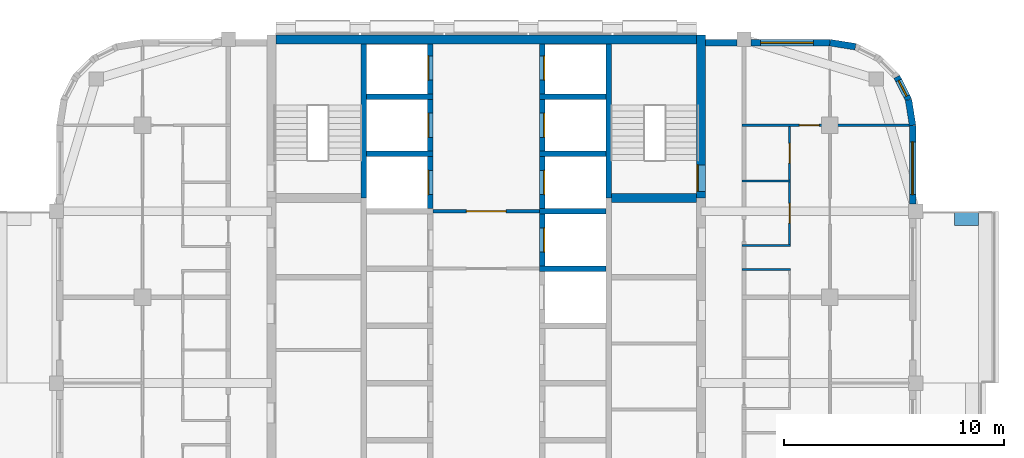
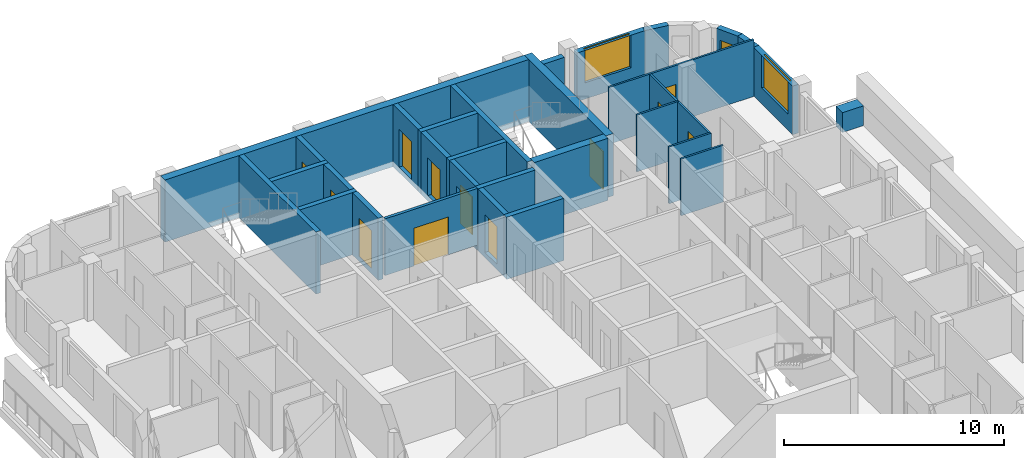
# One storey, part 8 of 13: 31 walls, 12 doors, 3 windows, 15 openings.
"""IFC4 building model written with IfcOpenShell, lengths in metres."""

from ifc_helpers import new_model, si_unit, direction, frame, frame_2d, origin, place, context, subcontext, project, spatial, rectangle, extrude, material, layer, layer_set, type_object, element, fill, save


model = new_model("IFC4")

# Units and contexts
model_context = context("Model", 3, precision=1e-05, world=origin(), true_north=direction((0.0, 1.0)))
body_context = subcontext(model_context, "Body", "Model", "MODEL_VIEW")
ifc_project = project(units=[si_unit("LENGTHUNIT", "METRE"), si_unit("AREAUNIT", "SQUARE_METRE"), si_unit("VOLUMEUNIT", "CUBIC_METRE"), si_unit("PLANEANGLEUNIT", "RADIAN"), si_unit("MASSUNIT", "GRAM", prefix="KILO")], contexts=[model_context])

# Site, building, storey
site_placement = place(None, origin())
site = spatial("IfcSite", under=ifc_project, at=site_placement, CompositionType="ELEMENT")
building_placement = place(site_placement, origin())
building = spatial("IfcBuilding", under=site, at=building_placement, Name="Ludao Terraces", CompositionType="ELEMENT")
storey_placement = place(building_placement, frame((0.0, 0.0, 246.0)))
storey = spatial("IfcBuildingStorey", under=building, at=storey_placement, Name="L67", CompositionType="ELEMENT", Elevation=246.0)

# Wall, opening, door
ifc_material_1 = material(Name="Concrete C50", Category="concrete")
ifc_layer_1 = layer(ifc_material_1, 0.39990234375)
ifc_layer_set_1 = layer_set([ifc_layer_1], Name="Core wall 400 C50")
wall_type_1 = type_object("IfcWallType", Name="Core wall 400 C50", PredefinedType="SOLIDWALL", material=ifc_layer_set_1)
wall_1_placement = place(storey_placement, frame((94.75, 77.300048828125, -0.300048828125), z_axis=(0.0, 0.0, 1.0), x_axis=(0.0, 1.0, 0.0)))
wall_1 = element("IfcWall", 1, at=wall_1_placement, inside=storey, type_object=wall_type_1, Name="Core wall L67 outer-E-S2", PredefinedType="SOLIDWALL", context=body_context, shape_type="SweptSolid", body=[
    extrude(rectangle(XDim=7.39990234375, YDim=0.39990234375, at=frame_2d((3.699951171875, 0.0))), origin(), (0.0, 0.0, 1.0), 3.449951171875),
])
opening_1_placement = place(wall_1_placement, frame((0.300048828125, 0.0, 0.300048828125)))
opening_1 = element("IfcOpeningElement", 2, at=opening_1_placement, cuts=wall_1, Name="Opening R24-078", PredefinedType="OPENING", context=body_context, shape_type="SweptSolid", body=[
    extrude(rectangle(XDim=1.199951171875, YDim=2.10009765625, at=frame_2d((0.60009765625, 1.050048828125))), frame((0.0, 0.2099609375, 0.0), z_axis=(0.0, -1.0, 0.0), x_axis=(1.0, 0.0, 0.0)), (0.0, 0.0, 1.0), 0.419921875),
])
ifc_material_2 = material(Name="Steel Q235", Category="steel")
door_type_1 = type_object("IfcDoorType", Name="INT Stair door 1200", OperationType="DOUBLE_DOOR_SINGLE_SWING", PredefinedType="DOOR", material=ifc_material_2)
door_1_placement = place(opening_1_placement, origin())
door_1 = element("IfcDoor", 3, at=door_1_placement, inside=storey, type_object=door_type_1, Name="DOOR 078", OperationType="DOUBLE_DOOR_SINGLE_SWING", OverallHeight=2.10009765625, OverallWidth=1.199951171875, PredefinedType="DOOR", context=body_context, shape_type="SweptSolid", body=[
    extrude(rectangle(XDim=1.199951171875, YDim=2.10009765625, at=frame_2d((0.60009765625, 1.050048828125))), frame((0.0, 0.18505859375, 0.0), z_axis=(0.0, -1.0, 0.0), x_axis=(1.0, 0.0, 0.0)), (0.0, 0.0, 1.0), 0.050048828125),
])
fill(opening_1, door_1)

# Walls
wall_2_placement = place(storey_placement, frame((75.449951171875, 84.5, -0.300048828125), z_axis=(0.0, 0.0, 1.0), x_axis=(1.0, 0.0, 0.0)))
element("IfcWall", 4, at=wall_2_placement, inside=storey, type_object=wall_type_1, Name="Core wall L67 outer-N", PredefinedType="SOLIDWALL", context=body_context, shape_type="SweptSolid", body=[
    extrude(rectangle(XDim=19.10009765625, YDim=0.39990234375, at=frame_2d((9.550048828125, 0.0))), origin(), (0.0, 0.0, 1.0), 3.449951171875),
])
ifc_material_3 = material(Name="Concrete C40", Category="concrete")
ifc_layer_2 = layer(ifc_material_3, 0.60009765625)
ifc_layer_set_2 = layer_set([ifc_layer_2], Name="ENV Planter trough 600")
wall_type_2 = type_object("IfcWallType", Name="ENV Planter trough 600", PredefinedType="USERDEFINED", material=ifc_layer_set_2)
wall_3_placement = place(storey_placement, frame((107.35009765625, 76.35009765625, 0.0), z_axis=(0.0, 0.0, 1.0), x_axis=(-1.0, 0.0, 0.0)))
element("IfcWall", 5, at=wall_3_placement, inside=storey, type_object=wall_type_2, Name="PL-L67-E3-SB", ObjectType="PLANTER", PredefinedType="USERDEFINED", context=body_context, shape_type="SweptSolid", body=[
    extrude(rectangle(XDim=1.10009765625, YDim=0.60009765625, at=frame_2d((0.550048828125, 0.0))), origin(), (0.0, 0.0, 1.0), 1.10009765625),
])

# Wall, opening, window
ifc_material_4 = material(Name="Granite cladding", Category="masonry")
ifc_layer_3 = layer(ifc_material_4, 0.0400390625, Category="stone")
ifc_material_5 = material(Name="Mineral wool")
ifc_layer_4 = layer(ifc_material_5, 0.06005859375)
ifc_layer_5 = layer(ifc_material_3, 0.199951171875, Category="concrete")
ifc_layer_set_3 = layer_set([ifc_layer_3, ifc_layer_4, ifc_layer_5], Name="ENV Stone-clad wall 300")
wall_type_3 = type_object("IfcWallType", Name="ENV Stone-clad wall 300", PredefinedType="SOLIDWALL", material=ifc_layer_set_3)
wall_4_placement = place(storey_placement, frame((104.35009765625, 77.02490234375, 0.0), z_axis=(0.0, 0.0, 1.0), x_axis=(0.0, 1.0, 0.0)))
wall_4 = element("IfcWall", 6, at=wall_4_placement, inside=storey, type_object=wall_type_3, Name="EW-L67-E5", PredefinedType="SOLIDWALL", context=body_context, shape_type="SweptSolid", body=[
    extrude(rectangle(XDim=3.5751953125, YDim=0.300048828125, at=frame_2d((1.78759765625, 0.0))), origin(), (0.0, 0.0, 1.0), 2.699951171875),
])
opening_2_placement = place(wall_4_placement, frame((0.425048828125, 0.0, 0.89990234375)))
opening_2 = element("IfcOpeningElement", 7, at=opening_2_placement, cuts=wall_4, Name="Opening W1", PredefinedType="OPENING", context=body_context, shape_type="SweptSolid", body=[
    extrude(rectangle(XDim=2.39990234375, YDim=1.800048828125, at=frame_2d((1.199951171875, 0.89990234375))), frame((0.0, 0.16015625, 0.0), z_axis=(0.0, -1.0, 0.0), x_axis=(1.0, 0.0, 0.0)), (0.0, 0.0, 1.0), 0.320068359375),
])
ifc_material_6 = material(Name="Clear glass in aluminium frame", Category="aluminium")
ifc_layer_6 = layer(ifc_material_6, 0.06005859375)
ifc_layer_set_4 = layer_set([ifc_layer_6], Name="ENV Window W1 2400x1800")
window_type_1 = type_object("IfcWindowType", Name="ENV Window W1 2400x1800", PartitioningType="DOUBLE_PANEL_VERTICAL", PredefinedType="WINDOW", material=ifc_layer_set_4)
window_1_placement = place(opening_2_placement, origin())
window_1 = element("IfcWindow", 8, at=window_1_placement, inside=storey, type_object=window_type_1, Name="W-L67-E5-1", OverallHeight=1.800048828125, OverallWidth=2.39990234375, PartitioningType="DOUBLE_PANEL_VERTICAL", PredefinedType="WINDOW", context=body_context, shape_type="SweptSolid", body=[
    extrude(rectangle(XDim=2.39990234375, YDim=1.800048828125, at=frame_2d((1.199951171875, 0.89990234375))), frame((0.0, 0.030029296875, 0.0), z_axis=(0.0, -1.0, 0.0), x_axis=(1.0, 0.0, 0.0)), (0.0, 0.0, 1.0), 0.06005859375),
])
fill(opening_2, window_1)

# Wall
wall_5_placement = place(storey_placement, frame((94.949951171875, 84.35009765625, 0.0), z_axis=(0.0, 0.0, 1.0), x_axis=(1.0, 0.0, 0.0)))
element("IfcWall", 9, at=wall_5_placement, inside=storey, type_object=wall_type_3, Name="EW-L67-N3", PredefinedType="SOLIDWALL", context=body_context, shape_type="SweptSolid", body=[
    extrude(rectangle(XDim=1.425048828125, YDim=0.300048828125, at=frame_2d((0.71240234375, 0.0))), origin(), (0.0, 0.0, 1.0), 2.699951171875),
])

# Wall, opening, window
wall_6_placement = place(storey_placement, frame((97.02490234375, 84.35009765625, 0.0), z_axis=(0.0, 0.0, 1.0), x_axis=(1.0, 0.0, 0.0)))
wall_6 = element("IfcWall", 10, at=wall_6_placement, inside=storey, type_object=wall_type_3, Name="EW-L67-N4", PredefinedType="SOLIDWALL", context=body_context, shape_type="SweptSolid", body=[
    extrude(rectangle(XDim=3.5751953125, YDim=0.300048828125, at=frame_2d((1.78759765625, 0.0))), origin(), (0.0, 0.0, 1.0), 2.699951171875),
])
opening_3_placement = place(wall_6_placement, frame((0.425048828125, 0.0, 0.89990234375)))
opening_3 = element("IfcOpeningElement", 11, at=opening_3_placement, cuts=wall_6, Name="Opening W1", PredefinedType="OPENING", context=body_context, shape_type="SweptSolid", body=[
    extrude(rectangle(XDim=2.39990234375, YDim=1.800048828125, at=frame_2d((1.199951171875, 0.89990234375))), frame((0.0, 0.16015625, 0.0), z_axis=(0.0, -1.0, 0.0), x_axis=(1.0, 0.0, 0.0)), (0.0, 0.0, 1.0), 0.320068359375),
])
window_2_placement = place(opening_3_placement, origin())
window_2 = element("IfcWindow", 12, at=window_2_placement, inside=storey, type_object=window_type_1, Name="W-L67-N4-1", OverallHeight=1.800048828125, OverallWidth=2.39990234375, PartitioningType="DOUBLE_PANEL_VERTICAL", PredefinedType="WINDOW", context=body_context, shape_type="SweptSolid", body=[
    extrude(rectangle(XDim=2.39990234375, YDim=1.800048828125, at=frame_2d((1.199951171875, 0.89990234375))), frame((0.0, 0.030029296875, 0.0), z_axis=(0.0, -1.0, 0.0), x_axis=(1.0, 0.0, 0.0)), (0.0, 0.0, 1.0), 0.06005859375),
])
fill(opening_3, window_2)

# Wall
wall_7_placement = place(storey_placement, frame((104.35009765625, 80.60009765625, 0.0), z_axis=(0.0, 0.0, 1.0), x_axis=(-0.156496880861, 0.987678452879, 0.0)))
element("IfcWall", 13, at=wall_7_placement, inside=storey, type_object=wall_type_3, Name="EW-L67-NE1", PredefinedType="SOLIDWALL", context=body_context, shape_type="SweptSolid", body=[
    extrude(rectangle(XDim=1.173095703125, YDim=0.300048828125, at=frame_2d((0.58642578125, 0.0))), origin(), (0.0, 0.0, 1.0), 2.699951171875),
])

# Wall, opening, window
wall_8_placement = place(storey_placement, frame((104.16650390625, 81.7587890625, 0.0), z_axis=(0.0, 0.0, 1.0), x_axis=(-0.454025524128, 0.890988677504, 0.0)))
wall_8 = element("IfcWall", 14, at=wall_8_placement, inside=storey, type_object=wall_type_3, Name="EW-L67-NE2", PredefinedType="SOLIDWALL", context=body_context, shape_type="SweptSolid", body=[
    extrude(rectangle(XDim=1.17333984375, YDim=0.300048828125, at=frame_2d((0.586669921875, 0.0))), origin(), (0.0, 0.0, 1.0), 2.699951171875),
])
opening_4_placement = place(wall_8_placement, frame((0.1865234375, 0.0, 0.89990234375)))
opening_4 = element("IfcOpeningElement", 15, at=opening_4_placement, cuts=wall_8, Name="Opening W3", PredefinedType="OPENING", context=body_context, shape_type="SweptSolid", body=[
    extrude(rectangle(XDim=0.800048828125, YDim=1.199951171875, at=frame_2d((0.39990234375, 0.60009765625))), frame((0.0, 0.16015625, 0.0), z_axis=(0.0, -1.0, 0.0), x_axis=(1.0, 0.0, 0.0)), (0.0, 0.0, 1.0), 0.320068359375),
])
ifc_layer_7 = layer(ifc_material_6, 0.06005859375)
ifc_layer_set_5 = layer_set([ifc_layer_7], Name="ENV Window W3 800x1200")
window_type_2 = type_object("IfcWindowType", Name="ENV Window W3 800x1200", PartitioningType="SINGLE_PANEL", PredefinedType="WINDOW", material=ifc_layer_set_5)
window_3_placement = place(opening_4_placement, origin())
window_3 = element("IfcWindow", 16, at=window_3_placement, inside=storey, type_object=window_type_2, Name="W-L67-NE2", OverallHeight=1.199951171875, OverallWidth=0.800048828125, PartitioningType="SINGLE_PANEL", PredefinedType="WINDOW", context=body_context, shape_type="SweptSolid", body=[
    extrude(rectangle(XDim=0.800048828125, YDim=1.199951171875, at=frame_2d((0.39990234375, 0.60009765625))), frame((0.0, 0.030029296875, 0.0), z_axis=(0.0, -1.0, 0.0), x_axis=(1.0, 0.0, 0.0)), (0.0, 0.0, 1.0), 0.06005859375),
])
fill(opening_4, window_3)

# Wall
wall_9_placement = place(storey_placement, frame((101.7587890625, 84.16650390625, 0.0), z_axis=(0.0, 0.0, 1.0), x_axis=(-0.987678452879, 0.156496880861, 0.0)))
element("IfcWall", 17, at=wall_9_placement, inside=storey, type_object=wall_type_3, Name="EW-L67-NE5", PredefinedType="SOLIDWALL", context=body_context, shape_type="SweptSolid", body=[
    extrude(rectangle(XDim=1.173095703125, YDim=0.300048828125, at=frame_2d((0.58642578125, 0.0))), origin(), (0.0, 0.0, 1.0), 2.699951171875),
])

# Wall, opening, door
ifc_material_7 = material(Name="Fire-rated gypsum plasterboard", Category="gypsum")
ifc_layer_8 = layer(ifc_material_7, 0.012451171875, Category="gypsum")
ifc_layer_9 = layer(ifc_material_5, 0.10009765625, Name="insulation")
ifc_layer_10 = layer(ifc_material_2, 0.02490234375, Name="stud")
ifc_layer_11 = layer(ifc_material_7, 0.012451171875, Category="gypsum")
ifc_layer_set_6 = layer_set([ifc_layer_8, ifc_layer_9, ifc_layer_10, ifc_layer_11], Name="INT Core partition 150")
wall_type_4 = type_object("IfcWallType", Name="INT Core partition 150", PredefinedType="PARTITIONING", material=ifc_layer_set_6)
wall_10_placement = place(storey_placement, frame((82.5751953125, 76.699951171875, 0.0), z_axis=(0.0, 0.0, 1.0), x_axis=(1.0, 0.0, 0.0)))
wall_10 = element("IfcWall", 18, at=wall_10_placement, inside=storey, type_object=wall_type_4, Name="PW-L67-PW041", PredefinedType="PARTITIONING", context=body_context, shape_type="SweptSolid", body=[
    extrude(rectangle(XDim=4.849853515625, YDim=0.14990234375, at=frame_2d((2.4248046875, 0.0))), origin(), (0.0, 0.0, 1.0), 3.14990234375),
])
opening_5_placement = place(wall_10_placement, frame((1.52490234375, 0.0, 0.0)))
opening_5 = element("IfcOpeningElement", 19, at=opening_5_placement, cuts=wall_10, Name="Opening R24-073", PredefinedType="OPENING", context=body_context, shape_type="SweptSolid", body=[
    extrude(rectangle(XDim=1.800048828125, YDim=2.10009765625, at=frame_2d((0.89990234375, 1.050048828125))), frame((0.0, 0.0849609375, 0.0), z_axis=(0.0, -1.0, 0.0), x_axis=(1.0, 0.0, 0.0)), (0.0, 0.0, 1.0), 0.169921875),
])
door_type_2 = type_object("IfcDoorType", Name="INT Fire lobby door 1800", OperationType="DOUBLE_DOOR_SINGLE_SWING", PredefinedType="DOOR", material=ifc_material_2)
door_2_placement = place(opening_5_placement, origin())
door_2 = element("IfcDoor", 20, at=door_2_placement, inside=storey, type_object=door_type_2, Name="DOOR 073", OperationType="DOUBLE_DOOR_SINGLE_SWING", OverallHeight=2.10009765625, OverallWidth=1.800048828125, PredefinedType="DOOR", context=body_context, shape_type="SweptSolid", body=[
    extrude(rectangle(XDim=1.800048828125, YDim=2.10009765625, at=frame_2d((0.89990234375, 1.050048828125))), frame((0.0, 0.02490234375, 0.0), z_axis=(0.0, -1.0, 0.0), x_axis=(1.0, 0.0, 0.0)), (0.0, 0.0, 1.0), 0.050048828125),
])
fill(opening_5, door_2)

# Walls
ifc_material_8 = material(Name="Gypsum plasterboard", Category="gypsum")
ifc_layer_12 = layer(ifc_material_8, 0.012451171875, Category="gypsum")
ifc_layer_13 = layer(ifc_material_5, 0.06005859375, Name="insulation")
ifc_layer_14 = layer(ifc_material_2, 0.014892578125, Name="stud")
ifc_layer_15 = layer(ifc_material_8, 0.012451171875, Category="gypsum")
ifc_layer_set_7 = layer_set([ifc_layer_12, ifc_layer_13, ifc_layer_14, ifc_layer_15], Name="INT Partition 100")
wall_type_5 = type_object("IfcWallType", Name="INT Partition 100", PredefinedType="PARTITIONING", material=ifc_layer_set_7)
for number, where, z_axis, x_axis, name in (
    (21, (96.60009765625, 74.050048828125, 0.0), (0.0, 0.0, 1.0), (1.0, 0.0, 0.0), "PW-L67-PW037"),
    (22, (96.60009765625, 75.14990234375, 0.0), (0.0, 0.0, 1.0), (1.0, 0.0, 0.0), "PW-L67-PW040"),
    (23, (96.60009765625, 78.070068359375, 0.0), (0.0, 0.0, 1.0), (1.0, 0.0, 0.0), "PW-L67-PW043"),
):
    element("IfcWall", number, at=place(storey_placement, frame(where, z_axis=z_axis, x_axis=x_axis)), inside=storey, type_object=wall_type_5, Name=name, PredefinedType="PARTITIONING", context=body_context, shape_type="SweptSolid", body=[
        extrude(rectangle(XDim=2.219970703125, YDim=0.10009765625, at=frame_2d((1.10986328125, 0.0))), origin(), (0.0, 0.0, 1.0), 3.14990234375),
    ])

# Wall, opening, door
wall_11_placement = place(storey_placement, frame((96.60009765625, 80.60009765625, 0.0), z_axis=(0.0, 0.0, 1.0), x_axis=(1.0, 0.0, 0.0)))
wall_11 = element("IfcWall", 24, at=wall_11_placement, inside=storey, type_object=wall_type_5, Name="PW-L67-PW045", PredefinedType="PARTITIONING", context=body_context, shape_type="SweptSolid", body=[
    extrude(rectangle(XDim=7.60009765625, YDim=0.10009765625, at=frame_2d((3.800048828125, 0.0))), origin(), (0.0, 0.0, 1.0), 3.14990234375),
])
opening_6_placement = place(wall_11_placement, frame((2.610107421875, 0.0, 0.0)))
opening_6 = element("IfcOpeningElement", 25, at=opening_6_placement, cuts=wall_11, Name="Opening R24-084", PredefinedType="OPENING", context=body_context, shape_type="SweptSolid", body=[
    extrude(rectangle(XDim=0.89990234375, YDim=2.10009765625, at=frame_2d((0.449951171875, 1.050048828125))), frame((0.0, 0.06005859375, 0.0), z_axis=(0.0, -1.0, 0.0), x_axis=(1.0, 0.0, 0.0)), (0.0, 0.0, 1.0), 0.1201171875),
])
ifc_material_9 = material(Name="Timber door leaf", Category="wood")
door_type_3 = type_object("IfcDoorType", Name="INT Room door 900", OperationType="SINGLE_SWING_LEFT", PredefinedType="DOOR", material=ifc_material_9)
door_3_placement = place(opening_6_placement, origin())
door_3 = element("IfcDoor", 26, at=door_3_placement, inside=storey, type_object=door_type_3, Name="DOOR 084", OperationType="SINGLE_SWING_RIGHT", OverallHeight=2.10009765625, OverallWidth=0.89990234375, PredefinedType="DOOR", context=body_context, shape_type="SweptSolid", body=[
    extrude(rectangle(XDim=0.89990234375, YDim=2.10009765625, at=frame_2d((0.449951171875, 1.050048828125))), frame((0.0, 0.02490234375, 0.0), z_axis=(0.0, -1.0, 0.0), x_axis=(1.0, 0.0, 0.0)), (0.0, 0.0, 1.0), 0.050048828125),
])
fill(opening_6, door_3)

# Wall, openings, doors
wall_12_placement = place(storey_placement, frame((98.77001953125, 75.2001953125, 0.0), z_axis=(0.0, 0.0, 1.0), x_axis=(0.0, 1.0, 0.0)))
wall_12 = element("IfcWall", 27, at=wall_12_placement, inside=storey, type_object=wall_type_5, Name="PW-L67-PW060", PredefinedType="PARTITIONING", context=body_context, shape_type="SweptSolid", body=[
    extrude(rectangle(XDim=5.349853515625, YDim=0.10009765625, at=frame_2d((2.6748046875, 0.0))), origin(), (0.0, 0.0, 1.0), 3.14990234375),
])
opening_7_placement = place(wall_12_placement, frame((0.9599609375, 0.0, 0.0)))
opening_7 = element("IfcOpeningElement", 28, at=opening_7_placement, cuts=wall_12, Name="Opening R24-071", PredefinedType="OPENING", context=body_context, shape_type="SweptSolid", body=[
    extrude(rectangle(XDim=0.89990234375, YDim=2.10009765625, at=frame_2d((0.449951171875, 1.050048828125))), frame((0.0, 0.06005859375, 0.0), z_axis=(0.0, -1.0, 0.0), x_axis=(1.0, 0.0, 0.0)), (0.0, 0.0, 1.0), 0.1201171875),
])
opening_8_placement = place(wall_12_placement, frame((3.684814453125, 0.0, 0.0)))
opening_8 = element("IfcOpeningElement", 29, at=opening_8_placement, cuts=wall_12, Name="Opening R24-080", PredefinedType="OPENING", context=body_context, shape_type="SweptSolid", body=[
    extrude(rectangle(XDim=0.89990234375, YDim=2.10009765625, at=frame_2d((0.449951171875, 1.050048828125))), frame((0.0, 0.06005859375, 0.0), z_axis=(0.0, -1.0, 0.0), x_axis=(1.0, 0.0, 0.0)), (0.0, 0.0, 1.0), 0.1201171875),
])
door_type_4 = type_object("IfcDoorType", Name="INT Bathroom door 900", OperationType="SINGLE_SWING_LEFT", PredefinedType="DOOR", material=ifc_material_9)
door_4_placement = place(opening_8_placement, origin())
door_4 = element("IfcDoor", 30, at=door_4_placement, inside=storey, type_object=door_type_4, Name="DOOR 080", OperationType="SINGLE_SWING_RIGHT", OverallHeight=2.10009765625, OverallWidth=0.89990234375, PredefinedType="DOOR", context=body_context, shape_type="SweptSolid", body=[
    extrude(rectangle(XDim=0.89990234375, YDim=2.10009765625, at=frame_2d((0.449951171875, 1.050048828125))), frame((0.0, 0.02490234375, 0.0), z_axis=(0.0, -1.0, 0.0), x_axis=(1.0, 0.0, 0.0)), (0.0, 0.0, 1.0), 0.050048828125),
])
fill(opening_8, door_4)
door_5_placement = place(opening_7_placement, origin())
door_5 = element("IfcDoor", 31, at=door_5_placement, inside=storey, type_object=door_type_3, Name="DOOR 071", OperationType="SINGLE_SWING_LEFT", OverallHeight=2.10009765625, OverallWidth=0.89990234375, PredefinedType="DOOR", context=body_context, shape_type="SweptSolid", body=[
    extrude(rectangle(XDim=0.89990234375, YDim=2.10009765625, at=frame_2d((0.449951171875, 1.050048828125))), frame((0.0, 0.02490234375, 0.0), z_axis=(0.0, -1.0, 0.0), x_axis=(1.0, 0.0, 0.0)), (0.0, 0.0, 1.0), 0.050048828125),
])
fill(opening_7, door_5)

# Walls
ifc_layer_16 = layer(ifc_material_1, 0.25)
ifc_layer_set_8 = layer_set([ifc_layer_16], Name="Shaft wall 250 C50")
wall_type_6 = type_object("IfcWallType", Name="Shaft wall 250 C50", PredefinedType="SOLIDWALL", material=ifc_layer_set_8)
for number, where, z_axis, x_axis, name in (
    (32, (79.449951171875, 77.300048828125, -0.300048828125), (0.0, 0.0, 1.0), (0.0, 1.0, 0.0), "Core wall L67 back-W-S1"),
    (33, (90.550048828125, 77.300048828125, -0.300048828125), (0.0, 0.0, 1.0), (0.0, 1.0, 0.0), "Core wall L67 back-E-S2"),
):
    element("IfcWall", number, at=place(storey_placement, frame(where, z_axis=z_axis, x_axis=x_axis)), inside=storey, type_object=wall_type_6, Name=name, PredefinedType="SOLIDWALL", context=body_context, shape_type="SweptSolid", body=[
        extrude(rectangle(XDim=7.0, YDim=0.25, at=frame_2d((3.5, 0.0))), origin(), (0.0, 0.0, 1.0), 3.449951171875),
    ])

# Wall, opening, door
wall_13_placement = place(storey_placement, frame((82.449951171875, 76.824951171875, -0.300048828125), z_axis=(0.0, 0.0, 1.0), x_axis=(0.0, 1.0, 0.0)))
wall_13 = element("IfcWall", 34, at=wall_13_placement, inside=storey, type_object=wall_type_6, Name="Core wall L67 front-W7", PredefinedType="SOLIDWALL", context=body_context, shape_type="SweptSolid", body=[
    extrude(rectangle(XDim=2.35009765625, YDim=0.25, at=frame_2d((1.175048828125, 0.0))), origin(), (0.0, 0.0, 1.0), 3.449951171875),
])
opening_9_placement = place(wall_13_placement, frame((0.625, 0.0, 0.300048828125)))
opening_9 = element("IfcOpeningElement", 35, at=opening_9_placement, cuts=wall_13, Name="Opening LD-FF1", PredefinedType="OPENING", context=body_context, shape_type="SweptSolid", body=[
    extrude(rectangle(XDim=1.10009765625, YDim=2.10009765625, at=frame_2d((0.550048828125, 1.050048828125))), frame((0.0, 0.135009765625, 0.0), z_axis=(0.0, -1.0, 0.0), x_axis=(1.0, 0.0, 0.0)), (0.0, 0.0, 1.0), 0.27001953125),
])
ifc_material_10 = material(Name="Stainless steel 304", Category="steel")
door_type_5 = type_object("IfcDoorType", Name="INT Lift landing door 1100", OperationType="SLIDING_TO_LEFT", PredefinedType="DOOR", material=ifc_material_10)
door_6_placement = place(opening_9_placement, origin())
door_6 = element("IfcDoor", 36, at=door_6_placement, inside=storey, type_object=door_type_5, Name="LANDING DOOR FF1 L67", OperationType="SLIDING_TO_LEFT", OverallHeight=2.10009765625, OverallWidth=1.10009765625, PredefinedType="DOOR", context=body_context, shape_type="SweptSolid", body=[
    extrude(rectangle(XDim=1.10009765625, YDim=2.10009765625, at=frame_2d((0.550048828125, 1.050048828125))), frame((0.0, 0.10986328125, 0.0), z_axis=(0.0, -1.0, 0.0), x_axis=(1.0, 0.0, 0.0)), (0.0, 0.0, 1.0), 0.050048828125),
])
fill(opening_9, door_6)

# Wall
wall_14_placement = place(storey_placement, frame((79.574951171875, 79.300048828125, -0.300048828125), z_axis=(0.0, 0.0, 1.0), x_axis=(1.0, 0.0, 0.0)))
element("IfcWall", 37, at=wall_14_placement, inside=storey, type_object=wall_type_6, Name="Core wall L67 div-W8", PredefinedType="SOLIDWALL", context=body_context, shape_type="SweptSolid", body=[
    extrude(rectangle(XDim=3.0, YDim=0.25, at=frame_2d((1.5, 0.0))), origin(), (0.0, 0.0, 1.0), 3.449951171875),
])

# Wall, opening, door
wall_15_placement = place(storey_placement, frame((82.449951171875, 79.425048828125, -0.300048828125), z_axis=(0.0, 0.0, 1.0), x_axis=(0.0, 1.0, 0.0)))
wall_15 = element("IfcWall", 38, at=wall_15_placement, inside=storey, type_object=wall_type_6, Name="Core wall L67 front-W8", PredefinedType="SOLIDWALL", context=body_context, shape_type="SweptSolid", body=[
    extrude(rectangle(XDim=2.349853515625, YDim=0.25, at=frame_2d((1.1748046875, 0.0))), origin(), (0.0, 0.0, 1.0), 3.449951171875),
])
opening_10_placement = place(wall_15_placement, frame((0.625, 0.0, 0.300048828125)))
opening_10 = element("IfcOpeningElement", 39, at=opening_10_placement, cuts=wall_15, Name="Opening LD-FF2", PredefinedType="OPENING", context=body_context, shape_type="SweptSolid", body=[
    extrude(rectangle(XDim=1.10009765625, YDim=2.10009765625, at=frame_2d((0.550048828125, 1.050048828125))), frame((0.0, 0.135009765625, 0.0), z_axis=(0.0, -1.0, 0.0), x_axis=(1.0, 0.0, 0.0)), (0.0, 0.0, 1.0), 0.27001953125),
])
door_7_placement = place(opening_10_placement, origin())
door_7 = element("IfcDoor", 40, at=door_7_placement, inside=storey, type_object=door_type_5, Name="LANDING DOOR FF2 L67", OperationType="SLIDING_TO_LEFT", OverallHeight=2.10009765625, OverallWidth=1.10009765625, PredefinedType="DOOR", context=body_context, shape_type="SweptSolid", body=[
    extrude(rectangle(XDim=1.10009765625, YDim=2.10009765625, at=frame_2d((0.550048828125, 1.050048828125))), frame((0.0, 0.10986328125, 0.0), z_axis=(0.0, -1.0, 0.0), x_axis=(1.0, 0.0, 0.0)), (0.0, 0.0, 1.0), 0.050048828125),
])
fill(opening_10, door_7)

# Wall
wall_16_placement = place(storey_placement, frame((79.574951171875, 81.89990234375, -0.300048828125), z_axis=(0.0, 0.0, 1.0), x_axis=(1.0, 0.0, 0.0)))
element("IfcWall", 41, at=wall_16_placement, inside=storey, type_object=wall_type_6, Name="Core wall L67 div-W9", PredefinedType="SOLIDWALL", context=body_context, shape_type="SweptSolid", body=[
    extrude(rectangle(XDim=3.0, YDim=0.25, at=frame_2d((1.5, 0.0))), origin(), (0.0, 0.0, 1.0), 3.449951171875),
])

# Wall, opening, door
wall_17_placement = place(storey_placement, frame((82.449951171875, 82.02490234375, -0.300048828125), z_axis=(0.0, 0.0, 1.0), x_axis=(0.0, 1.0, 0.0)))
wall_17 = element("IfcWall", 42, at=wall_17_placement, inside=storey, type_object=wall_type_6, Name="Core wall L67 front-W9", PredefinedType="SOLIDWALL", context=body_context, shape_type="SweptSolid", body=[
    extrude(rectangle(XDim=2.275146484375, YDim=0.25, at=frame_2d((1.1376953125, 0.0))), origin(), (0.0, 0.0, 1.0), 3.449951171875),
])
opening_11_placement = place(wall_17_placement, frame((0.625, 0.0, 0.300048828125)))
opening_11 = element("IfcOpeningElement", 43, at=opening_11_placement, cuts=wall_17, Name="Opening LD-LB6", PredefinedType="OPENING", context=body_context, shape_type="SweptSolid", body=[
    extrude(rectangle(XDim=1.10009765625, YDim=2.10009765625, at=frame_2d((0.550048828125, 1.050048828125))), frame((0.0, 0.135009765625, 0.0), z_axis=(0.0, -1.0, 0.0), x_axis=(1.0, 0.0, 0.0)), (0.0, 0.0, 1.0), 0.27001953125),
])
door_8_placement = place(opening_11_placement, origin())
door_8 = element("IfcDoor", 44, at=door_8_placement, inside=storey, type_object=door_type_5, Name="LANDING DOOR LB6 L67", OperationType="SLIDING_TO_RIGHT", OverallHeight=2.10009765625, OverallWidth=1.10009765625, PredefinedType="DOOR", context=body_context, shape_type="SweptSolid", body=[
    extrude(rectangle(XDim=1.10009765625, YDim=2.10009765625, at=frame_2d((0.550048828125, 1.050048828125))), frame((0.0, 0.10986328125, 0.0), z_axis=(0.0, -1.0, 0.0), x_axis=(1.0, 0.0, 0.0)), (0.0, 0.0, 1.0), 0.050048828125),
])
fill(opening_11, door_8)

# Wall
wall_18_placement = place(storey_placement, frame((87.425048828125, 74.10009765625, -0.300048828125), z_axis=(0.0, 0.0, 1.0), x_axis=(1.0, 0.0, 0.0)))
element("IfcWall", 45, at=wall_18_placement, inside=storey, type_object=wall_type_6, Name="Core wall L67 div-E6", PredefinedType="SOLIDWALL", context=body_context, shape_type="SweptSolid", body=[
    extrude(rectangle(XDim=3.0, YDim=0.25, at=frame_2d((1.5, 0.0))), origin(), (0.0, 0.0, 1.0), 3.449951171875),
])

# Wall, opening, door
wall_19_placement = place(storey_placement, frame((87.550048828125, 74.22509765625, -0.300048828125), z_axis=(0.0, 0.0, 1.0), x_axis=(0.0, 1.0, 0.0)))
wall_19 = element("IfcWall", 46, at=wall_19_placement, inside=storey, type_object=wall_type_6, Name="Core wall L67 front-E6", PredefinedType="SOLIDWALL", context=body_context, shape_type="SweptSolid", body=[
    extrude(rectangle(XDim=2.349853515625, YDim=0.25, at=frame_2d((1.1748046875, 0.0))), origin(), (0.0, 0.0, 1.0), 3.449951171875),
])
opening_12_placement = place(wall_19_placement, frame((0.625, 0.0, 0.300048828125)))
opening_12 = element("IfcOpeningElement", 47, at=opening_12_placement, cuts=wall_19, Name="Opening LD-LB2", PredefinedType="OPENING", context=body_context, shape_type="SweptSolid", body=[
    extrude(rectangle(XDim=1.10009765625, YDim=2.10009765625, at=frame_2d((0.550048828125, 1.050048828125))), frame((0.0, 0.135009765625, 0.0), z_axis=(0.0, -1.0, 0.0), x_axis=(1.0, 0.0, 0.0)), (0.0, 0.0, 1.0), 0.27001953125),
])
door_9_placement = place(opening_12_placement, origin())
door_9 = element("IfcDoor", 48, at=door_9_placement, inside=storey, type_object=door_type_5, Name="LANDING DOOR LB2 L67", OperationType="SLIDING_TO_LEFT", OverallHeight=2.10009765625, OverallWidth=1.10009765625, PredefinedType="DOOR", context=body_context, shape_type="SweptSolid", body=[
    extrude(rectangle(XDim=1.10009765625, YDim=2.10009765625, at=frame_2d((0.550048828125, 1.050048828125))), frame((0.0, -0.06005859375, 0.0), z_axis=(0.0, -1.0, 0.0), x_axis=(1.0, 0.0, 0.0)), (0.0, 0.0, 1.0), 0.050048828125),
])
fill(opening_12, door_9)

# Wall
wall_20_placement = place(storey_placement, frame((87.425048828125, 76.699951171875, -0.300048828125), z_axis=(0.0, 0.0, 1.0), x_axis=(1.0, 0.0, 0.0)))
element("IfcWall", 49, at=wall_20_placement, inside=storey, type_object=wall_type_6, Name="Core wall L67 div-E7", PredefinedType="SOLIDWALL", context=body_context, shape_type="SweptSolid", body=[
    extrude(rectangle(XDim=3.0, YDim=0.25, at=frame_2d((1.5, 0.0))), origin(), (0.0, 0.0, 1.0), 3.449951171875),
])

# Wall, opening, door
wall_21_placement = place(storey_placement, frame((87.550048828125, 76.824951171875, -0.300048828125), z_axis=(0.0, 0.0, 1.0), x_axis=(0.0, 1.0, 0.0)))
wall_21 = element("IfcWall", 50, at=wall_21_placement, inside=storey, type_object=wall_type_6, Name="Core wall L67 front-E7", PredefinedType="SOLIDWALL", context=body_context, shape_type="SweptSolid", body=[
    extrude(rectangle(XDim=2.35009765625, YDim=0.25, at=frame_2d((1.175048828125, 0.0))), origin(), (0.0, 0.0, 1.0), 3.449951171875),
])
opening_13_placement = place(wall_21_placement, frame((0.625, 0.0, 0.300048828125)))
opening_13 = element("IfcOpeningElement", 51, at=opening_13_placement, cuts=wall_21, Name="Opening LD-LB3", PredefinedType="OPENING", context=body_context, shape_type="SweptSolid", body=[
    extrude(rectangle(XDim=1.10009765625, YDim=2.10009765625, at=frame_2d((0.550048828125, 1.050048828125))), frame((0.0, 0.135009765625, 0.0), z_axis=(0.0, -1.0, 0.0), x_axis=(1.0, 0.0, 0.0)), (0.0, 0.0, 1.0), 0.27001953125),
])
door_10_placement = place(opening_13_placement, origin())
door_10 = element("IfcDoor", 52, at=door_10_placement, inside=storey, type_object=door_type_5, Name="LANDING DOOR LB3 L67", OperationType="SLIDING_TO_LEFT", OverallHeight=2.10009765625, OverallWidth=1.10009765625, PredefinedType="DOOR", context=body_context, shape_type="SweptSolid", body=[
    extrude(rectangle(XDim=1.10009765625, YDim=2.10009765625, at=frame_2d((0.550048828125, 1.050048828125))), frame((0.0, -0.06005859375, 0.0), z_axis=(0.0, -1.0, 0.0), x_axis=(1.0, 0.0, 0.0)), (0.0, 0.0, 1.0), 0.050048828125),
])
fill(opening_13, door_10)

# Wall
wall_22_placement = place(storey_placement, frame((87.425048828125, 79.300048828125, -0.300048828125), z_axis=(0.0, 0.0, 1.0), x_axis=(1.0, 0.0, 0.0)))
element("IfcWall", 53, at=wall_22_placement, inside=storey, type_object=wall_type_6, Name="Core wall L67 div-E8", PredefinedType="SOLIDWALL", context=body_context, shape_type="SweptSolid", body=[
    extrude(rectangle(XDim=3.0, YDim=0.25, at=frame_2d((1.5, 0.0))), origin(), (0.0, 0.0, 1.0), 3.449951171875),
])

# Wall, opening, door
wall_23_placement = place(storey_placement, frame((87.550048828125, 79.425048828125, -0.300048828125), z_axis=(0.0, 0.0, 1.0), x_axis=(0.0, 1.0, 0.0)))
wall_23 = element("IfcWall", 54, at=wall_23_placement, inside=storey, type_object=wall_type_6, Name="Core wall L67 front-E8", PredefinedType="SOLIDWALL", context=body_context, shape_type="SweptSolid", body=[
    extrude(rectangle(XDim=2.349853515625, YDim=0.25, at=frame_2d((1.1748046875, 0.0))), origin(), (0.0, 0.0, 1.0), 3.449951171875),
])
opening_14_placement = place(wall_23_placement, frame((0.625, 0.0, 0.300048828125)))
opening_14 = element("IfcOpeningElement", 55, at=opening_14_placement, cuts=wall_23, Name="Opening LD-LB4", PredefinedType="OPENING", context=body_context, shape_type="SweptSolid", body=[
    extrude(rectangle(XDim=1.10009765625, YDim=2.10009765625, at=frame_2d((0.550048828125, 1.050048828125))), frame((0.0, 0.135009765625, 0.0), z_axis=(0.0, -1.0, 0.0), x_axis=(1.0, 0.0, 0.0)), (0.0, 0.0, 1.0), 0.27001953125),
])
door_11_placement = place(opening_14_placement, origin())
door_11 = element("IfcDoor", 56, at=door_11_placement, inside=storey, type_object=door_type_5, Name="LANDING DOOR LB4 L67", OperationType="SLIDING_TO_RIGHT", OverallHeight=2.10009765625, OverallWidth=1.10009765625, PredefinedType="DOOR", context=body_context, shape_type="SweptSolid", body=[
    extrude(rectangle(XDim=1.10009765625, YDim=2.10009765625, at=frame_2d((0.550048828125, 1.050048828125))), frame((0.0, -0.06005859375, 0.0), z_axis=(0.0, -1.0, 0.0), x_axis=(1.0, 0.0, 0.0)), (0.0, 0.0, 1.0), 0.050048828125),
])
fill(opening_14, door_11)

# Wall
wall_24_placement = place(storey_placement, frame((87.425048828125, 81.89990234375, -0.300048828125), z_axis=(0.0, 0.0, 1.0), x_axis=(1.0, 0.0, 0.0)))
element("IfcWall", 57, at=wall_24_placement, inside=storey, type_object=wall_type_6, Name="Core wall L67 div-E9", PredefinedType="SOLIDWALL", context=body_context, shape_type="SweptSolid", body=[
    extrude(rectangle(XDim=3.0, YDim=0.25, at=frame_2d((1.5, 0.0))), origin(), (0.0, 0.0, 1.0), 3.449951171875),
])

# Wall, opening, door
wall_25_placement = place(storey_placement, frame((87.550048828125, 82.02490234375, -0.300048828125), z_axis=(0.0, 0.0, 1.0), x_axis=(0.0, 1.0, 0.0)))
wall_25 = element("IfcWall", 58, at=wall_25_placement, inside=storey, type_object=wall_type_6, Name="Core wall L67 front-E9", PredefinedType="SOLIDWALL", context=body_context, shape_type="SweptSolid", body=[
    extrude(rectangle(XDim=2.275146484375, YDim=0.25, at=frame_2d((1.1376953125, 0.0))), origin(), (0.0, 0.0, 1.0), 3.449951171875),
])
opening_15_placement = place(wall_25_placement, frame((0.625, 0.0, 0.300048828125)))
opening_15 = element("IfcOpeningElement", 59, at=opening_15_placement, cuts=wall_25, Name="Opening LD-LB5", PredefinedType="OPENING", context=body_context, shape_type="SweptSolid", body=[
    extrude(rectangle(XDim=1.10009765625, YDim=2.10009765625, at=frame_2d((0.550048828125, 1.050048828125))), frame((0.0, 0.135009765625, 0.0), z_axis=(0.0, -1.0, 0.0), x_axis=(1.0, 0.0, 0.0)), (0.0, 0.0, 1.0), 0.27001953125),
])
door_12_placement = place(opening_15_placement, origin())
door_12 = element("IfcDoor", 60, at=door_12_placement, inside=storey, type_object=door_type_5, Name="LANDING DOOR LB5 L67", OperationType="SLIDING_TO_RIGHT", OverallHeight=2.10009765625, OverallWidth=1.10009765625, PredefinedType="DOOR", context=body_context, shape_type="SweptSolid", body=[
    extrude(rectangle(XDim=1.10009765625, YDim=2.10009765625, at=frame_2d((0.550048828125, 1.050048828125))), frame((0.0, -0.06005859375, 0.0), z_axis=(0.0, -1.0, 0.0), x_axis=(1.0, 0.0, 0.0)), (0.0, 0.0, 1.0), 0.050048828125),
])
fill(opening_15, door_12)

# Wall
ifc_layer_17 = layer(ifc_material_1, 0.39990234375)
ifc_layer_set_9 = layer_set([ifc_layer_17], Name="Shaft wall 400 C50")
wall_type_7 = type_object("IfcWallType", Name="Shaft wall 400 C50", PredefinedType="SOLIDWALL", material=ifc_layer_set_9)
wall_26_placement = place(storey_placement, frame((90.675048828125, 77.300048828125, -0.300048828125), z_axis=(0.0, 0.0, 1.0), x_axis=(1.0, 0.0, 0.0)))
element("IfcWall", 61, at=wall_26_placement, inside=storey, type_object=wall_type_7, Name="Core wall L67 stair-E", PredefinedType="SOLIDWALL", context=body_context, shape_type="SweptSolid", body=[
    extrude(rectangle(XDim=3.875, YDim=0.39990234375, at=frame_2d((1.9375, 0.0))), origin(), (0.0, 0.0, 1.0), 3.449951171875),
])

save(model, "model.ifc")
